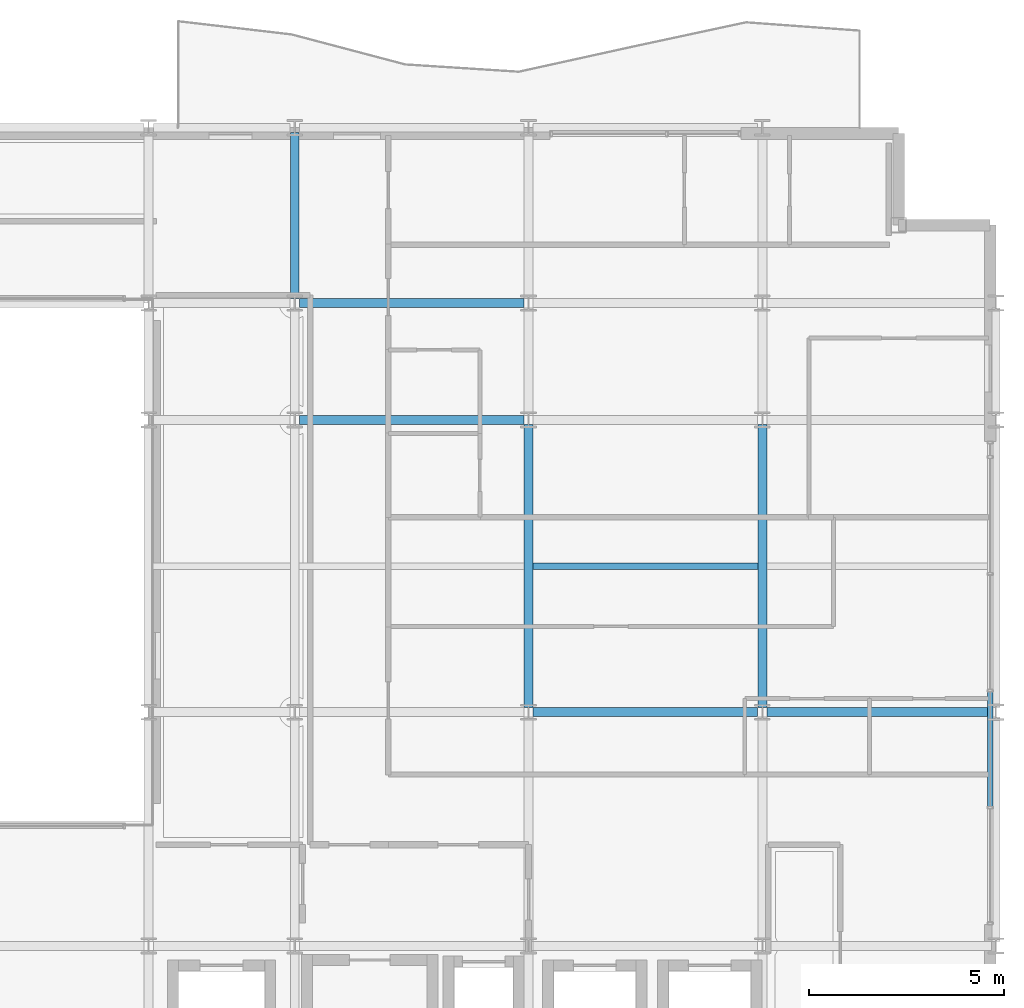
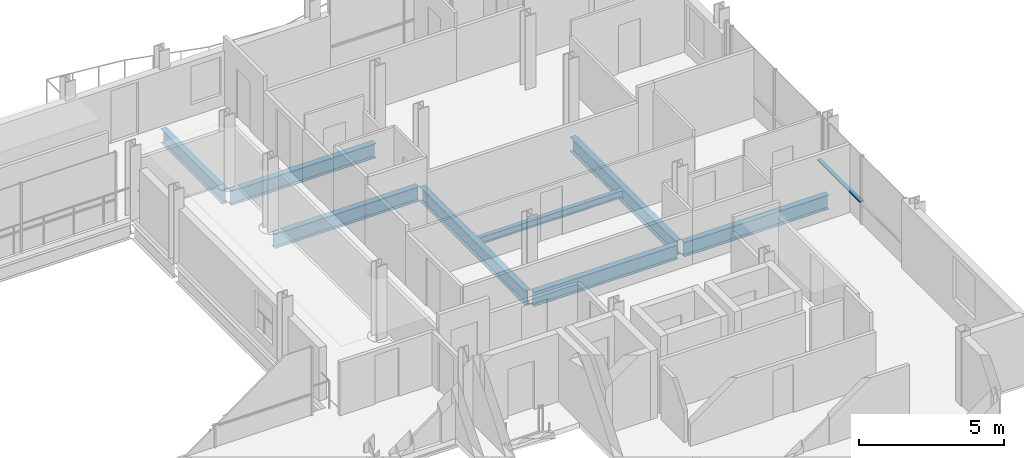
# One storey, part 20 of 41: 8 beams, 1 member, 1 element without a shape of its own.
"""IFC4 building model written with IfcOpenShell, lengths in metres."""

from ifc_helpers import new_model, si_unit, direction, frame, origin, origin_2d, place, context, subcontext, project, spatial, hollow_rectangle, i_section, extrude, material, layer, layer_set, material_profile, profile_set, type_object, element, aggregate, save


model = new_model("IFC4")

# Units and contexts
model_context = context("Model", 3, precision=1e-05, world=origin(), true_north=direction((0.0, 1.0)))
body_context = subcontext(model_context, "Body", "Model", "MODEL_VIEW")
ifc_project = project(units=[si_unit("LENGTHUNIT", "METRE"), si_unit("AREAUNIT", "SQUARE_METRE"), si_unit("VOLUMEUNIT", "CUBIC_METRE"), si_unit("PLANEANGLEUNIT", "RADIAN"), si_unit("MASSUNIT", "GRAM", prefix="KILO")], contexts=[model_context])

# Site, building, storey
site_placement = place(None, origin())
site = spatial("IfcSite", under=ifc_project, at=site_placement, CompositionType="ELEMENT")
building_placement = place(site_placement, origin())
building = spatial("IfcBuilding", under=site, at=building_placement, Name="Brevholm Reach", CompositionType="ELEMENT")
storey_placement = place(building_placement, frame((0.0, 0.0, 151.10009765625)))
storey = spatial("IfcBuildingStorey", under=building, at=storey_placement, Name="L45", CompositionType="ELEMENT", Elevation=151.10009765625)

# Beams
ifc_material_1 = material(Name="Structural Steel S355J2", Category="steel")
ifc_material_profile_1 = material_profile(ifc_material_1, i_section(OverallWidth=0.1650390625, OverallDepth=0.303466796875, WebThickness=0.006103515625, FlangeThickness=0.01025390625, FilletRadius=0.0087890625, at=origin_2d()), Name="UKB 305x165x40")
ifc_profile_set_1 = profile_set([ifc_material_profile_1], Name="Structural Steel S355J2")
beam_type_1 = type_object("IfcBeamType", Name="BM-B305", PredefinedType="BEAM", material=ifc_profile_set_1)
beam_1_placement = place(storey_placement, frame((48.114501953125, 19.75, -0.371826171875), z_axis=(1.0, 0.0, 0.0), x_axis=(0.0, 1.0, 0.0)))
element("IfcBeam", 1, at=beam_1_placement, inside=storey, type_object=beam_type_1, Name="L45 Composite Secondary Floor Beam", PredefinedType="BEAM", context=body_context, shape_type="SweptSolid", body=[
    extrude(i_section(OverallWidth=0.1650390625, OverallDepth=0.303466796875, WebThickness=0.006103515625, FlangeThickness=0.01025390625, FilletRadius=0.0087890625, at=origin_2d()), origin(), (0.0, 0.0, 1.0), 5.77099609375),
])
ifc_material_2 = material(Name="Structural Steel S355J2", Category="steel")
ifc_material_profile_2 = material_profile(ifc_material_2, i_section(OverallWidth=0.22900390625, OverallDepth=0.6123046875, WebThickness=0.011962890625, FlangeThickness=0.01953125, FilletRadius=0.0126953125, at=origin_2d()), Name="UKB 610x229x125")
ifc_profile_set_2 = profile_set([ifc_material_profile_2], Name="Structural Steel S355J2")
beam_type_2 = type_object("IfcBeamType", Name="BM-SP610", PredefinedType="SPANDREL", material=ifc_profile_set_2)
for number, where, z_axis, x_axis, name in (
    (2, (48.1201171875, 16.0, -0.526123046875), (1.0, 0.0, 0.0), (0.0, 1.0, 0.0), "L45 SP-01 Framing Beam"),
    (3, (54.1201171875, 16.0, -0.526123046875), (1.0, 0.0, 0.0), (0.0, 1.0, 0.0), "L45 SP-01 Framing Beam"),
    (4, (42.1201171875, 23.5, -0.526123046875), (1.0, 0.0, 0.0), (0.0, 1.0, 0.0), "L45 SP-01 Framing Beam"),
    (5, (42.1201171875, 26.5, -0.526123046875), (1.0, 0.0, 0.0), (0.0, 1.0, 0.0), "L45 SP-01 Framing Beam"),
):
    element("IfcBeam", number, at=place(storey_placement, frame(where, z_axis=z_axis, x_axis=x_axis)), inside=storey, type_object=beam_type_2, Name=name, PredefinedType="SPANDREL", context=body_context, shape_type="SweptSolid", body=[
        extrude(i_section(OverallWidth=0.22900390625, OverallDepth=0.6123046875, WebThickness=0.011962890625, FlangeThickness=0.01953125, FilletRadius=0.0126953125, at=origin_2d()), origin(), (0.0, 0.0, 1.0), 5.759765625),
    ])
beam_2_placement = place(storey_placement, frame((42.0, 26.6201171875, -0.526123046875), z_axis=(0.0, 1.0, 0.0), x_axis=(-1.0, 0.0, 0.0)))
element("IfcBeam", 6, at=beam_2_placement, inside=storey, type_object=beam_type_2, Name="L45 SP-01 Framing Beam", PredefinedType="SPANDREL", context=body_context, shape_type="SweptSolid", body=[
    extrude(i_section(OverallWidth=0.22900390625, OverallDepth=0.6123046875, WebThickness=0.011962890625, FlangeThickness=0.01953125, FilletRadius=0.0126953125, at=origin_2d()), origin(), (0.0, 0.0, 1.0), 4.259765625),
])
for number, where, z_axis, x_axis, name in (
    (7, (48.0, 16.1201171875, -0.526123046875), (0.0, 1.0, 0.0), (-1.0, 0.0, 0.0), "L45 SP-01 Framing Beam"),
    (8, (54.0, 16.1201171875, -0.526123046875), (0.0, 1.0, 0.0), (-1.0, 0.0, 0.0), "L45 SP-01 Framing Beam"),
):
    element("IfcBeam", number, at=place(storey_placement, frame(where, z_axis=z_axis, x_axis=x_axis)), inside=storey, type_object=beam_type_2, Name=name, PredefinedType="SPANDREL", context=body_context, shape_type="SweptSolid", body=[
        extrude(i_section(OverallWidth=0.22900390625, OverallDepth=0.6123046875, WebThickness=0.011962890625, FlangeThickness=0.01953125, FilletRadius=0.0126953125, at=origin_2d()), origin(), (0.0, 0.0, 1.0), 7.259765625),
    ])

# Curtain wall, member
ifc_material_3 = material(Name="Dark Anodised Aluminium 6063-T6 and Solar-Control Glass", Category="aluminium")
ifc_layer = layer(ifc_material_3, 0.14990234375)
ifc_layer_set = layer_set([ifc_layer], Name="Dark Anodised Aluminium 6063-T6 and Solar-Control Glass")
curtain_wall_type = type_object("IfcCurtainWallType", Name="CW-01", PredefinedType="NOTDEFINED", material=ifc_layer_set)
curtain_wall_placement = place(storey_placement, origin())
curtain_wall = element("IfcCurtainWall", 9, at=curtain_wall_placement, inside=storey, type_object=curtain_wall_type, Name="L45 Curtain Wall CW-01", PredefinedType="NOTDEFINED")
ifc_material_4 = material(Name="Dark Anodised Aluminium 6063-T6", Category="aluminium")
ifc_material_profile_3 = material_profile(ifc_material_4, hollow_rectangle(XDim=0.06494140625, YDim=0.14990234375, WallThickness=0.0048828125, InnerFilletRadius=0.0048828125, OuterFilletRadius=0.010009765625, at=origin_2d()), Name="RHS 150x65x5")
ifc_profile_set_3 = profile_set([ifc_material_profile_3], Name="Dark Anodised Aluminium 6063-T6")
member_type = type_object("IfcMemberType", Name="CWT-150", PredefinedType="NOTDEFINED", material=ifc_profile_set_3)
member_placement = place(storey_placement, frame((59.85009765625, 13.58251953125, 0.89990234375), z_axis=(0.0, 1.0, 0.0), x_axis=(0.0, 0.0, 1.0)))
member = element("IfcMember", 10, at=member_placement, type_object=member_type, Name="CT-150 Transom 2.1", ObjectType="TRANSOM", PredefinedType="USERDEFINED", context=body_context, shape_type="SweptSolid", body=[
    extrude(hollow_rectangle(XDim=0.06494140625, YDim=0.14990234375, WallThickness=0.0048828125, InnerFilletRadius=0.0048828125, OuterFilletRadius=0.010009765625, at=origin_2d()), origin(), (0.0, 0.0, 1.0), 2.93505859375),
])
aggregate(curtain_wall, [member])

save(model, "model.ifc")
